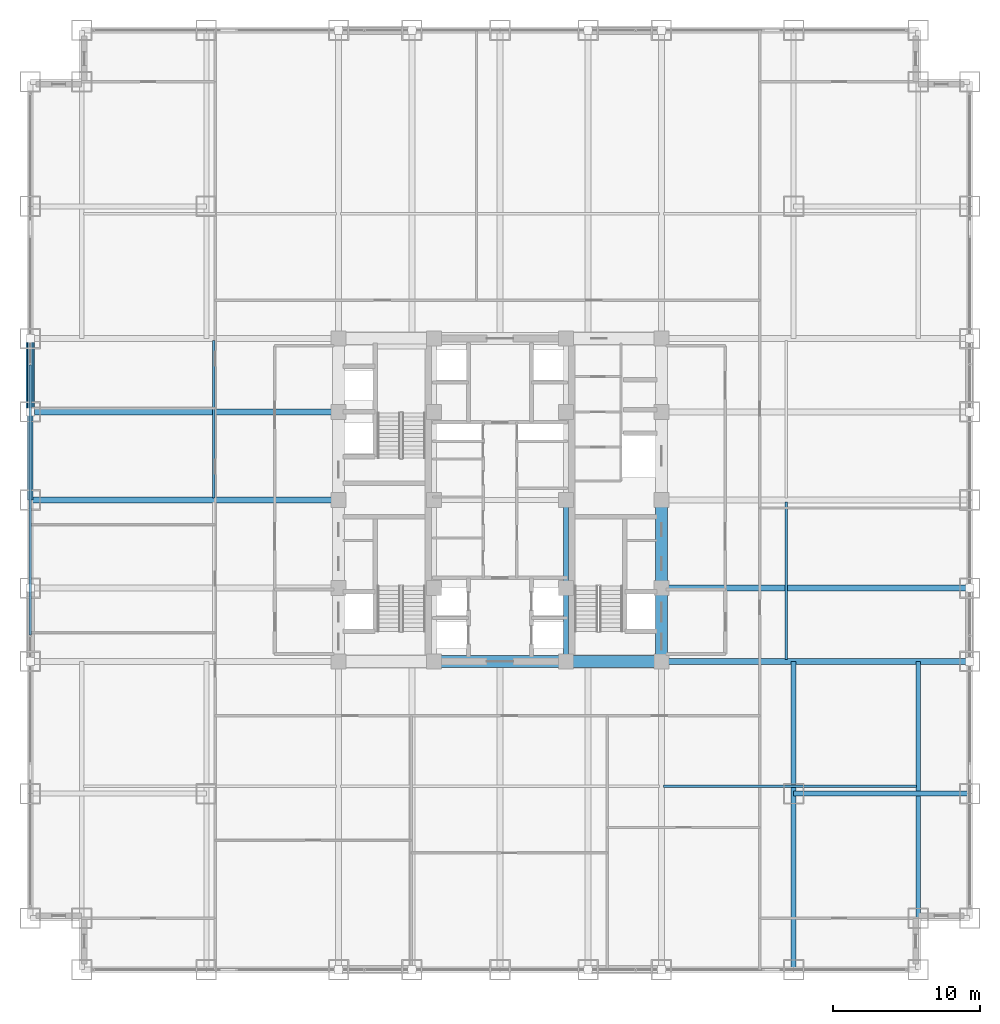
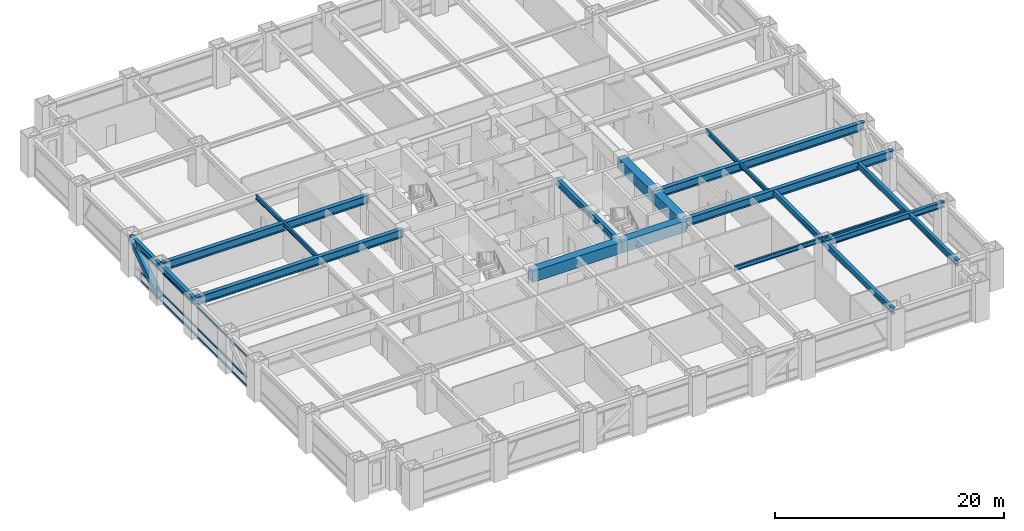
# One storey, part 11 of 28: 18 beams, 4 members, 1 element without a shape of its own.
"""IFC4 building model written with IfcOpenShell, lengths in metres."""

from ifc_helpers import new_model, si_unit, direction, frame, origin, origin_2d, place, context, subcontext, project, spatial, rectangle, hollow_rectangle, i_section, extrude, source, transform, mapped, material, material_profile, profile_set, type_object, element, aggregate, save


model = new_model("IFC4")

# Units and contexts
model_context = context("Model", 3, precision=1e-05, world=origin(), true_north=direction((0.0, 1.0)))
body_context = subcontext(model_context, "Body", "Model", "MODEL_VIEW")
ifc_project = project(units=[si_unit("LENGTHUNIT", "METRE"), si_unit("AREAUNIT", "SQUARE_METRE"), si_unit("VOLUMEUNIT", "CUBIC_METRE"), si_unit("PLANEANGLEUNIT", "RADIAN"), si_unit("MASSUNIT", "GRAM", prefix="KILO")], contexts=[model_context])

# Site, building, storey
site_placement = place(None, origin())
site = spatial("IfcSite", under=ifc_project, at=site_placement, CompositionType="ELEMENT")
building_placement = place(site_placement, origin())
building = spatial("IfcBuilding", under=site, at=building_placement, Name="Khorayat Bourse Tower", CompositionType="ELEMENT")
storey_placement = place(building_placement, frame((0.0, 0.0, 57.800048828125)))
storey = spatial("IfcBuildingStorey", under=building, at=storey_placement, Name="L12", CompositionType="ELEMENT", Elevation=57.800048828125)

# Beams
ifc_material_1 = material(Name="Concrete C72/90", Category="concrete")
ifc_material_profile_1 = material_profile(ifc_material_1, rectangle(XDim=0.800048828125, YDim=1.199951171875, at=origin_2d()), Name="RC 800x1200")
ifc_profile_set_1 = profile_set([ifc_material_profile_1], Name="Concrete C72/90")
beam_type_1 = type_object("IfcBeamType", Name="BM-COUP-1200", PredefinedType="BEAM", material=ifc_profile_set_1)
shared_shape_1 = source(origin(), body_context, "Body", "SweptSolid", [
    extrude(rectangle(XDim=0.800048828125, YDim=1.199951171875, at=origin_2d()), origin(), (0.0, 0.0, 1.0), 5.0),
])
beam_1_placement = place(storey_placement, frame((11.0, -11.0, 3.33984375), z_axis=(0.0, 1.0, 0.0), x_axis=(-1.0, 0.0, 0.0)))
element("IfcBeam", 1, at=beam_1_placement, inside=storey, type_object=beam_type_1, Name="L12 BM-COUP-1200 BM-L12-CRX-13", PredefinedType="BEAM", context=body_context, shape_type="MappedRepresentation", body=[
    mapped(shared_shape_1, transform((0.0, 0.0, 0.0), scale=1.0)),
])
shared_shape_2 = source(origin(), body_context, "Body", "SweptSolid", [
    extrude(rectangle(XDim=0.800048828125, YDim=1.199951171875, at=origin_2d()), origin(), (0.0, 0.0, 1.0), 6.0),
])
beam_2_placement = place(storey_placement, frame((11.0, -6.0, 3.33984375), z_axis=(0.0, 1.0, 0.0), x_axis=(-1.0, 0.0, 0.0)))
element("IfcBeam", 2, at=beam_2_placement, inside=storey, type_object=beam_type_1, Name="L12 BM-COUP-1200 BM-L12-CRX-14", PredefinedType="BEAM", context=body_context, shape_type="MappedRepresentation", body=[
    mapped(shared_shape_2, transform((0.0, 0.0, 0.0), scale=1.0)),
])
ifc_material_2 = material(Name="Steel ASTM A992 Grade 50", Category="steel")
ifc_material_profile_2 = material_profile(ifc_material_2, i_section(OverallWidth=0.35498046875, OverallDepth=0.695068359375, WebThickness=0.015380859375, FlangeThickness=0.02490234375, FilletRadius=0.01806640625, at=origin_2d()), Name="W690X217")
ifc_profile_set_2 = profile_set([ifc_material_profile_2], Name="Steel ASTM A992 Grade 50")
beam_type_2 = type_object("IfcBeamType", Name="BM-GIRD-690", PredefinedType="BEAM", material=ifc_profile_set_2)
shared_shape_3 = source(origin(), body_context, "Body", "SweptSolid", [
    extrude(i_section(OverallWidth=0.35498046875, OverallDepth=0.695068359375, WebThickness=0.015380859375, FlangeThickness=0.02490234375, FilletRadius=0.01806640625, at=origin_2d()), origin(), (0.0, 0.0, 1.0), 5.0),
])
beam_3_placement = place(storey_placement, frame((4.5, -11.0, 3.592529296875), z_axis=(0.0, 1.0, 0.0), x_axis=(-1.0, 0.0, 0.0)))
element("IfcBeam", 3, at=beam_3_placement, inside=storey, type_object=beam_type_2, Name="L12 BM-GIRD-690 BM-L12-CRX-09", PredefinedType="BEAM", context=body_context, shape_type="MappedRepresentation", body=[
    mapped(shared_shape_3, transform((0.0, 0.0, 0.0), scale=1.0)),
])
shared_shape_4 = source(origin(), body_context, "Body", "SweptSolid", [
    extrude(i_section(OverallWidth=0.35498046875, OverallDepth=0.695068359375, WebThickness=0.015380859375, FlangeThickness=0.02490234375, FilletRadius=0.01806640625, at=origin_2d()), origin(), (0.0, 0.0, 1.0), 6.0),
])
beam_4_placement = place(storey_placement, frame((4.5, -6.0, 3.592529296875), z_axis=(0.0, 1.0, 0.0), x_axis=(-1.0, 0.0, 0.0)))
element("IfcBeam", 4, at=beam_4_placement, inside=storey, type_object=beam_type_2, Name="L12 BM-GIRD-690 BM-L12-CRX-10", PredefinedType="BEAM", context=body_context, shape_type="MappedRepresentation", body=[
    mapped(shared_shape_4, transform((0.0, 0.0, 0.0), scale=1.0)),
])
shared_shape_5 = source(origin(), body_context, "Body", "SweptSolid", [
    extrude(rectangle(XDim=0.800048828125, YDim=1.199951171875, at=origin_2d()), origin(), (0.0, 0.0, 1.0), 6.5),
])
beam_5_placement = place(storey_placement, frame((4.5, -11.0, 3.33984375), z_axis=(1.0, 0.0, 0.0), x_axis=(0.0, 1.0, 0.0)))
element("IfcBeam", 5, at=beam_5_placement, inside=storey, type_object=beam_type_1, Name="L12 BM-COUP-1200 BM-L12-CRY-19", PredefinedType="BEAM", context=body_context, shape_type="MappedRepresentation", body=[
    mapped(shared_shape_5, transform((0.0, 0.0, 0.0), scale=1.0)),
])
shared_shape_6 = source(origin(), body_context, "Body", "SweptSolid", [
    extrude(rectangle(XDim=0.800048828125, YDim=1.199951171875, at=origin_2d()), origin(), (0.0, 0.0, 1.0), 9.0),
])
beam_6_placement = place(storey_placement, frame((-4.5, -11.0, 3.33984375), z_axis=(1.0, 0.0, 0.0), x_axis=(0.0, 1.0, 0.0)))
element("IfcBeam", 6, at=beam_6_placement, inside=storey, type_object=beam_type_1, Name="L12 BM-COUP-1200 BM-L12-CRY-18", PredefinedType="BEAM", context=body_context, shape_type="MappedRepresentation", body=[
    mapped(shared_shape_6, transform((0.0, 0.0, 0.0), scale=1.0)),
])
ifc_material_profile_3 = material_profile(ifc_material_2, i_section(OverallWidth=0.35498046875, OverallDepth=0.695068359375, WebThickness=0.015380859375, FlangeThickness=0.02490234375, FilletRadius=0.01806640625, at=origin_2d()), Name="W690X217")
ifc_profile_set_3 = profile_set([ifc_material_profile_3], Name="Steel ASTM A992 Grade 50")
beam_type_3 = type_object("IfcBeamType", Name="BM-SPAN-690", PredefinedType="SPANDREL", material=ifc_profile_set_3)
shared_shape_7 = source(origin(), body_context, "Body", "SweptSolid", [
    extrude(i_section(OverallWidth=0.35498046875, OverallDepth=0.695068359375, WebThickness=0.015380859375, FlangeThickness=0.02490234375, FilletRadius=0.01806640625, at=origin_2d()), origin(), (0.0, 0.0, 1.0), 5.0),
])
beam_7_placement = place(storey_placement, frame((-32.0, 6.0, 3.592529296875), z_axis=(0.0, 1.0, 0.0), x_axis=(-1.0, 0.0, 0.0)))
element("IfcBeam", 7, at=beam_7_placement, inside=storey, type_object=beam_type_3, Name="L12 BM-SPAN-690 BM-L12-SPN-056", PredefinedType="SPANDREL", context=body_context, shape_type="MappedRepresentation", body=[
    mapped(shared_shape_7, transform((0.0, 0.0, 0.0), scale=1.0)),
])
shared_shape_8 = source(origin(), body_context, "Body", "SweptSolid", [
    extrude(i_section(OverallWidth=0.35498046875, OverallDepth=0.695068359375, WebThickness=0.015380859375, FlangeThickness=0.02490234375, FilletRadius=0.01806640625, at=origin_2d()), origin(), (0.0, 0.0, 1.0), 6.0),
])
beam_8_placement = place(storey_placement, frame((-32.0, 0.0, 3.592529296875), z_axis=(0.0, 1.0, 0.0), x_axis=(-1.0, 0.0, 0.0)))
element("IfcBeam", 8, at=beam_8_placement, inside=storey, type_object=beam_type_3, Name="L12 BM-SPAN-690 BM-L12-SPN-057", PredefinedType="SPANDREL", context=body_context, shape_type="MappedRepresentation", body=[
    mapped(shared_shape_8, transform((0.0, 0.0, 0.0), scale=1.0)),
])
ifc_material_profile_4 = material_profile(ifc_material_2, i_section(OverallWidth=0.39990234375, OverallDepth=0.85498046875, WebThickness=0.018310546875, FlangeThickness=0.029296875, FilletRadius=0.02001953125, at=origin_2d()), Name="W840X299")
ifc_profile_set_4 = profile_set([ifc_material_profile_4], Name="Steel ASTM A992 Grade 50")
beam_type_4 = type_object("IfcBeamType", Name="BM-GIRD-840", PredefinedType="BEAM", material=ifc_profile_set_4)
shared_shape_9 = source(origin(), body_context, "Body", "SweptSolid", [
    extrude(i_section(OverallWidth=0.39990234375, OverallDepth=0.85498046875, WebThickness=0.018310546875, FlangeThickness=0.029296875, FilletRadius=0.02001953125, at=origin_2d()), origin(), (0.0, 0.0, 1.0), 21.0),
])
for number, where, z_axis, x_axis, name in (
    (9, (11.0, -11.0, 3.512451171875), (1.0, 0.0, 0.0), (0.0, 1.0, 0.0), "L12 BM-GIRD-840 BM-L12-RADX-074"),
    (10, (11.0, -6.0, 3.512451171875), (1.0, 0.0, 0.0), (0.0, 1.0, 0.0), "L12 BM-GIRD-840 BM-L12-RADX-076"),
    (11, (-32.0, 0.0, 3.512451171875), (1.0, 0.0, 0.0), (0.0, 1.0, 0.0), "L12 BM-GIRD-840 BM-L12-RADX-079"),
    (12, (-32.0, 6.0, 3.512451171875), (1.0, 0.0, 0.0), (0.0, 1.0, 0.0), "L12 BM-GIRD-840 BM-L12-RADX-081"),
):
    element("IfcBeam", number, at=place(storey_placement, frame(where, z_axis=z_axis, x_axis=x_axis)), inside=storey, type_object=beam_type_4, Name=name, PredefinedType="BEAM", context=body_context, shape_type="MappedRepresentation", body=[
        mapped(shared_shape_9, transform((0.0, 0.0, 0.0), scale=1.0)),
    ])
ifc_material_profile_5 = material_profile(ifc_material_2, i_section(OverallWidth=0.324951171875, OverallDepth=0.615966796875, WebThickness=0.013916015625, FlangeThickness=0.021484375, FilletRadius=0.01611328125, at=origin_2d()), Name="W610X174")
ifc_profile_set_5 = profile_set([ifc_material_profile_5], Name="Steel ASTM A992 Grade 50")
beam_type_5 = type_object("IfcBeamType", Name="BM-GIRD-610", PredefinedType="BEAM", material=ifc_profile_set_5)
shared_shape_10 = source(origin(), body_context, "Body", "SweptSolid", [
    extrude(i_section(OverallWidth=0.324951171875, OverallDepth=0.615966796875, WebThickness=0.013916015625, FlangeThickness=0.021484375, FilletRadius=0.01611328125, at=origin_2d()), origin(), (0.0, 0.0, 1.0), 21.0),
])
beam_9_placement = place(storey_placement, frame((20.0, -32.0, 3.6318359375), z_axis=(0.0, 1.0, 0.0), x_axis=(-1.0, 0.0, 0.0)))
element("IfcBeam", 13, at=beam_9_placement, inside=storey, type_object=beam_type_5, Name="L12 BM-GIRD-610 BM-L12-CNRY-086", PredefinedType="BEAM", context=body_context, shape_type="MappedRepresentation", body=[
    mapped(shared_shape_10, transform((0.0, 0.0, 0.0), scale=1.0)),
])
shared_shape_11 = source(origin(), body_context, "Body", "SweptSolid", [
    extrude(i_section(OverallWidth=0.324951171875, OverallDepth=0.615966796875, WebThickness=0.013916015625, FlangeThickness=0.021484375, FilletRadius=0.01611328125, at=origin_2d()), origin(), (0.0, 0.0, 1.0), 17.5),
])
beam_10_placement = place(storey_placement, frame((28.5, -28.5, 3.6318359375), z_axis=(0.0, 1.0, 0.0), x_axis=(-1.0, 0.0, 0.0)))
element("IfcBeam", 14, at=beam_10_placement, inside=storey, type_object=beam_type_5, Name="L12 BM-GIRD-610 BM-L12-CNRY-090", PredefinedType="BEAM", context=body_context, shape_type="MappedRepresentation", body=[
    mapped(shared_shape_11, transform((0.0, 0.0, 0.0), scale=1.0)),
])
shared_shape_12 = source(origin(), body_context, "Body", "SweptSolid", [
    extrude(i_section(OverallWidth=0.324951171875, OverallDepth=0.615966796875, WebThickness=0.013916015625, FlangeThickness=0.021484375, FilletRadius=0.01611328125, at=origin_2d()), origin(), (0.0, 0.0, 1.0), 12.0),
])
beam_11_placement = place(storey_placement, frame((20.0, -20.0, 3.6318359375), z_axis=(1.0, 0.0, 0.0), x_axis=(0.0, 1.0, 0.0)))
element("IfcBeam", 15, at=beam_11_placement, inside=storey, type_object=beam_type_5, Name="L12 BM-GIRD-610 BM-L12-CNRX-092", PredefinedType="BEAM", context=body_context, shape_type="MappedRepresentation", body=[
    mapped(shared_shape_12, transform((0.0, 0.0, 0.0), scale=1.0)),
])
ifc_material_profile_6 = material_profile(ifc_material_2, i_section(OverallWidth=0.194091796875, OverallDepth=0.468994140625, WebThickness=0.0126953125, FlangeThickness=0.0205078125, FilletRadius=0.012939453125, at=origin_2d()), Name="W460X106")
ifc_profile_set_6 = profile_set([ifc_material_profile_6], Name="Steel ASTM A992 Grade 50")
beam_type_6 = type_object("IfcBeamType", Name="BM-JOIST-460", PredefinedType="JOIST", material=ifc_profile_set_6)
shared_shape_13 = source(origin(), body_context, "Body", "SweptSolid", [
    extrude(i_section(OverallWidth=0.194091796875, OverallDepth=0.468994140625, WebThickness=0.0126953125, FlangeThickness=0.0205078125, FilletRadius=0.012939453125, at=origin_2d()), origin(), (0.0, 0.0, 1.0), 17.240234375),
])
beam_12_placement = place(storey_placement, frame((11.1298828125, -19.5, 3.70556640625), z_axis=(1.0, 0.0, 0.0), x_axis=(0.0, 1.0, 0.0)))
element("IfcBeam", 16, at=beam_12_placement, inside=storey, type_object=beam_type_6, Name="L12 BM-JOIST-460 BM-L12-JSTX-098", PredefinedType="JOIST", context=body_context, shape_type="MappedRepresentation", body=[
    mapped(shared_shape_13, transform((0.0, 0.0, 0.0), scale=1.0)),
])
shared_shape_14 = source(origin(), body_context, "Body", "SweptSolid", [
    extrude(i_section(OverallWidth=0.194091796875, OverallDepth=0.468994140625, WebThickness=0.0126953125, FlangeThickness=0.0205078125, FilletRadius=0.012939453125, at=origin_2d()), origin(), (0.0, 0.0, 1.0), 10.740234375),
])
for number, where, z_axis, x_axis, name in (
    (17, (-19.5, 0.1298828125, 3.70556640625), (0.0, 1.0, 0.0), (-1.0, 0.0, 0.0), "L12 BM-JOIST-460 BM-L12-JSTY-103"),
    (18, (19.5, -10.8701171875, 3.70556640625), (0.0, 1.0, 0.0), (-1.0, 0.0, 0.0), "L12 BM-JOIST-460 BM-L12-JSTY-104"),
):
    element("IfcBeam", number, at=place(storey_placement, frame(where, z_axis=z_axis, x_axis=x_axis)), inside=storey, type_object=beam_type_6, Name=name, PredefinedType="JOIST", context=body_context, shape_type="MappedRepresentation", body=[
        mapped(shared_shape_14, transform((0.0, 0.0, 0.0), scale=1.0)),
    ])

# Member
ifc_material_3 = material(Name="Steel EN 10025-4 S460M", Category="steel")
ifc_material_profile_7 = material_profile(ifc_material_3, hollow_rectangle(XDim=0.550048828125, YDim=0.550048828125, WallThickness=0.031982421875, at=origin_2d()), Name="HSS 550x550x32")
ifc_profile_set_7 = profile_set([ifc_material_profile_7], Name="Steel EN 10025-4 S460M")
member_type_1 = type_object("IfcMemberType", Name="MBR-TUBE-550", PredefinedType="BRACE", material=ifc_profile_set_7)
shared_shape_15 = source(origin(), body_context, "Body", "SweptSolid", [
    extrude(hollow_rectangle(XDim=0.550048828125, YDim=0.550048828125, WallThickness=0.031982421875, at=origin_2d()), origin(), (0.0, 0.0, 1.0), 6.069091796875),
])
member_1_placement = place(storey_placement, frame((-32.0, 6.0, 0.25), z_axis=(0.0, 0.823854080622, 0.566801952928), x_axis=(-1.0, 0.0, 0.0)))
element("IfcMember", 19, at=member_1_placement, inside=storey, type_object=member_type_1, Name="L12 Perimeter Tube Brace 06", PredefinedType="BRACE", context=body_context, shape_type="MappedRepresentation", body=[
    mapped(shared_shape_15, transform((0.0, 0.0, 0.0), scale=1.0)),
])

# Curtain wall, members
ifc_material_4 = material(Name="Aluminium EN AW-6063 T6", Category="aluminium")
curtain_wall_type = type_object("IfcCurtainWallType", Name="CW-SYS-02", PredefinedType="NOTDEFINED", material=ifc_material_4)
curtain_wall_placement = place(storey_placement, origin())
curtain_wall = element("IfcCurtainWall", 20, at=curtain_wall_placement, inside=storey, type_object=curtain_wall_type, Name="L12 Curtain Wall CW-L12-W1", PredefinedType="NOTDEFINED")
ifc_material_profile_8 = material_profile(ifc_material_4, hollow_rectangle(XDim=0.139892578125, YDim=0.139892578125, WallThickness=0.006103515625, at=origin_2d()), Name="ALU 140x140x6")
ifc_profile_set_8 = profile_set([ifc_material_profile_8], Name="Aluminium EN AW-6063 T6")
member_type_2 = type_object("IfcMemberType", Name="CWT-HORZ-140", PredefinedType="USERDEFINED", material=ifc_profile_set_8)
shared_shape_16 = source(origin(), body_context, "Body", "SweptSolid", [
    extrude(hollow_rectangle(XDim=0.139892578125, YDim=0.139892578125, WallThickness=0.006103515625, at=origin_2d()), origin(), (0.0, 0.0, 1.0), 18.35986328125),
])
member_2_placement = place(storey_placement, frame((-32.0, -9.179931640625, 0.070068359375), z_axis=(0.0, 1.0, 0.0), x_axis=(-1.0, 0.0, 0.0)))
member_2 = element("IfcMember", 21, at=member_2_placement, type_object=member_type_2, Name="CW-L12-W1 Horizontal Transom 2-1", ObjectType="TRANSOM", PredefinedType="USERDEFINED", context=body_context, shape_type="MappedRepresentation", body=[
    mapped(shared_shape_16, transform((0.0, 0.0, 0.0), scale=1.0)),
])
member_3_placement = place(storey_placement, frame((-32.0, -9.179931640625, 0.949951171875), z_axis=(0.0, 1.0, 0.0), x_axis=(-1.0, 0.0, 0.0)))
member_3 = element("IfcMember", 22, at=member_3_placement, type_object=member_type_2, Name="CW-L12-W1 Horizontal Transom 2-2", ObjectType="TRANSOM", PredefinedType="USERDEFINED", context=body_context, shape_type="MappedRepresentation", body=[
    mapped(shared_shape_16, transform((0.0, 0.0, 0.0), scale=1.0)),
])
member_4_placement = place(storey_placement, frame((-32.0, -9.179931640625, 3.219970703125), z_axis=(0.0, 1.0, 0.0), x_axis=(-1.0, 0.0, 0.0)))
member_4 = element("IfcMember", 23, at=member_4_placement, type_object=member_type_2, Name="CW-L12-W1 Horizontal Transom 2-3", ObjectType="TRANSOM", PredefinedType="USERDEFINED", context=body_context, shape_type="MappedRepresentation", body=[
    mapped(shared_shape_16, transform((0.0, 0.0, 0.0), scale=1.0)),
])
aggregate(curtain_wall, [member_2, member_3, member_4])

save(model, "model.ifc")
